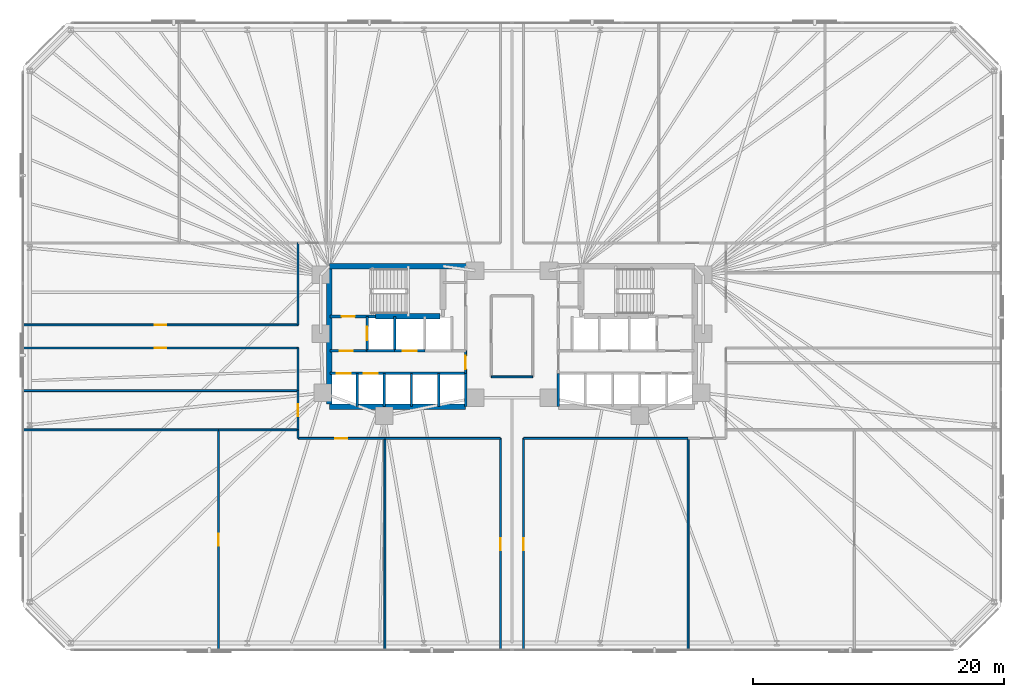
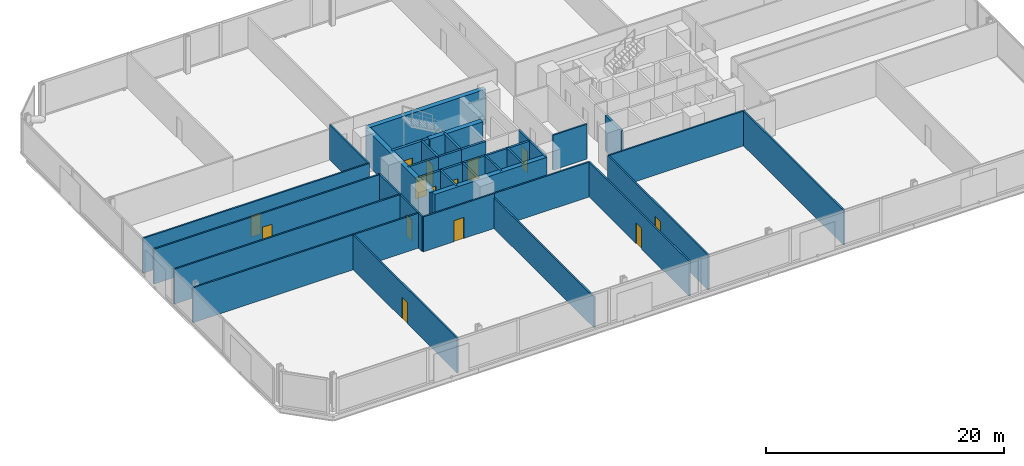
# One storey, part 12 of 17: 36 walls, 14 doors, 14 openings.
"""IFC4 building model written with IfcOpenShell, lengths in metres."""

from ifc_helpers import new_model, si_unit, direction, frame, frame_2d, origin, place, context, subcontext, project, spatial, rectangle, extrude, material, layer, layer_set, type_object, element, fill, save


model = new_model("IFC4")

# Units and contexts
model_context = context("Model", 3, precision=1e-05, world=origin(), true_north=direction((0.0, 1.0)))
body_context = subcontext(model_context, "Body", "Model", "MODEL_VIEW")
ifc_project = project(units=[si_unit("LENGTHUNIT", "METRE"), si_unit("AREAUNIT", "SQUARE_METRE"), si_unit("VOLUMEUNIT", "CUBIC_METRE"), si_unit("PLANEANGLEUNIT", "RADIAN"), si_unit("MASSUNIT", "GRAM", prefix="KILO")], contexts=[model_context])

# Site, building, storey
site_placement = place(None, origin())
site = spatial("IfcSite", under=ifc_project, at=site_placement, CompositionType="ELEMENT")
building_placement = place(site_placement, origin())
building = spatial("IfcBuilding", under=site, at=building_placement, Name="Menara Jurai Vektor", CompositionType="ELEMENT")
storey_placement = place(building_placement, frame((0.0, 0.0, 71.199951171875)))
storey = spatial("IfcBuildingStorey", under=building, at=storey_placement, Name="L17", CompositionType="ELEMENT", Elevation=71.199951171875)

# Wall, opening, door
ifc_material_1 = material(Name="Concrete C40/50", Category="concrete")
ifc_layer_1 = layer(ifc_material_1, 0.25)
ifc_layer_set_1 = layer_set([ifc_layer_1], Name="Concrete C40/50")
wall_type_1 = type_object("IfcWallType", Name="INT-WALL-CORE-250", PredefinedType="STANDARD", material=ifc_layer_set_1)
wall_1_placement = place(storey_placement, frame((-14.5, 1.60009765625, 0.0), z_axis=(0.0, 0.0, 1.0), x_axis=(1.0, 0.0, 0.0)))
wall_1 = element("IfcWall", 1, at=wall_1_placement, inside=storey, type_object=wall_type_1, Name="Interior Wall IW-250 L17", PredefinedType="STANDARD", context=body_context, shape_type="SweptSolid", body=[
    extrude(rectangle(XDim=3.60009765625, YDim=0.25, at=frame_2d((1.800048828125, 0.0))), origin(), (0.0, 0.0, 1.0), 3.574951171875),
])
opening_1_placement = place(wall_1_placement, frame((0.919921875, 0.0, 0.0)))
opening_1 = element("IfcOpeningElement", 2, at=opening_1_placement, cuts=wall_1, Name="Opening D-L17-ST1", PredefinedType="OPENING", context=body_context, shape_type="SweptSolid", body=[
    extrude(rectangle(XDim=1.050048828125, YDim=2.14990234375, at=frame_2d((0.52490234375, 1.074951171875))), frame((0.0, 0.135009765625, 0.0), z_axis=(0.0, -1.0, 0.0), x_axis=(1.0, 0.0, 0.0)), (0.0, 0.0, 1.0), 0.27001953125),
])
ifc_material_2 = material(Name="Fire-Rated Steel Door", Category="steel")
door_type_1 = type_object("IfcDoorType", Name="DR-STAIR-1050", OperationType="NOTDEFINED", PredefinedType="DOOR", material=ifc_material_2)
door_1_placement = place(opening_1_placement, origin())
door_1 = element("IfcDoor", 3, at=door_1_placement, inside=storey, type_object=door_type_1, Name="Exit Stair ST1 Door L17", OperationType="SINGLE_SWING_RIGHT", OverallHeight=2.14990234375, OverallWidth=1.050048828125, PredefinedType="DOOR", context=body_context, shape_type="SweptSolid", body=[
    extrude(rectangle(XDim=1.050048828125, YDim=2.14990234375, at=frame_2d((0.52490234375, 1.074951171875))), frame((0.0, 0.02490234375, 0.0), z_axis=(0.0, -1.0, 0.0), x_axis=(1.0, 0.0, 0.0)), (0.0, 0.0, 1.0), 0.050048828125),
])
fill(opening_1, door_1)

wall_2_placement = place(storey_placement, frame((-11.550048828125, -1.14990234375, 0.0), z_axis=(0.0, 0.0, 1.0), x_axis=(0.0, 1.0, 0.0)))
wall_2 = element("IfcWall", 4, at=wall_2_placement, inside=storey, type_object=wall_type_1, Name="Interior Wall IW-250 L17", PredefinedType="STANDARD", context=body_context, shape_type="SweptSolid", body=[
    extrude(rectangle(XDim=2.75, YDim=0.199951171875, at=frame_2d((1.375, 0.0))), origin(), (0.0, 0.0, 1.0), 3.574951171875),
])
opening_2_placement = place(wall_2_placement, frame((0.824951171875, 0.0, 0.0)))
opening_2 = element("IfcOpeningElement", 5, at=opening_2_placement, cuts=wall_2, Name="Opening LD-L17-FL1", PredefinedType="OPENING", context=body_context, shape_type="SweptSolid", body=[
    extrude(rectangle(XDim=1.10009765625, YDim=2.14990234375, at=frame_2d((0.550048828125, 1.074951171875))), frame((0.0, 0.10986328125, 0.0), z_axis=(0.0, -1.0, 0.0), x_axis=(1.0, 0.0, 0.0)), (0.0, 0.0, 1.0), 0.219970703125),
])
ifc_material_3 = material(Name="Stainless Steel Sliding Lift Landing Door", Category="steel")
door_type_2 = type_object("IfcDoorType", Name="DR-LIFT-FIRE-1100", OperationType="NOTDEFINED", PredefinedType="DOOR", material=ifc_material_3)
door_2_placement = place(opening_2_placement, origin())
door_2 = element("IfcDoor", 6, at=door_2_placement, inside=storey, type_object=door_type_2, Name="Lift Landing Door FL1 L17", OperationType="SLIDING_TO_RIGHT", OverallHeight=2.14990234375, OverallWidth=1.10009765625, PredefinedType="DOOR", context=body_context, shape_type="SweptSolid", body=[
    extrude(rectangle(XDim=1.10009765625, YDim=2.14990234375, at=frame_2d((0.550048828125, 1.074951171875))), frame((0.0, 0.02490234375, 0.0), z_axis=(0.0, -1.0, 0.0), x_axis=(1.0, 0.0, 0.0)), (0.0, 0.0, 1.0), 0.050048828125),
])
fill(opening_2, door_2)

# Wall
wall_3_placement = place(storey_placement, frame((-9.35009765625, -1.14990234375, 0.0), z_axis=(0.0, 0.0, 1.0), x_axis=(0.0, 1.0, 0.0)))
element("IfcWall", 7, at=wall_3_placement, inside=storey, type_object=wall_type_1, Name="Interior Wall IW-250 L17", PredefinedType="STANDARD", context=body_context, shape_type="SweptSolid", body=[
    extrude(rectangle(XDim=2.75, YDim=0.199951171875, at=frame_2d((1.375, 0.0))), origin(), (0.0, 0.0, 1.0), 3.574951171875),
])

# Wall, opening, door
wall_4_placement = place(storey_placement, frame((-14.5, -1.14990234375, 0.0), z_axis=(0.0, 0.0, 1.0), x_axis=(1.0, 0.0, 0.0)))
wall_4 = element("IfcWall", 8, at=wall_4_placement, inside=storey, type_object=wall_type_1, Name="Interior Wall IW-250 L17", PredefinedType="STANDARD", context=body_context, shape_type="SweptSolid", body=[
    extrude(rectangle(XDim=2.949951171875, YDim=0.199951171875, at=frame_2d((1.47509765625, 0.0))), origin(), (0.0, 0.0, 1.0), 3.574951171875),
])
opening_3_placement = place(wall_4_placement, frame((0.75, 0.0, 0.0)))
opening_3 = element("IfcOpeningElement", 9, at=opening_3_placement, cuts=wall_4, Name="Opening D-L17-FFW", PredefinedType="OPENING", context=body_context, shape_type="SweptSolid", body=[
    extrude(rectangle(XDim=1.050048828125, YDim=2.179931640625, at=frame_2d((0.52490234375, 1.08984375))), frame((0.0, 0.10986328125, 0.0), z_axis=(0.0, -1.0, 0.0), x_axis=(1.0, 0.0, 0.0)), (0.0, 0.0, 1.0), 0.219970703125),
])
ifc_material_4 = material(Name="Fire-Rated Timber Door", Category="wood")
door_type_3 = type_object("IfcDoorType", Name="DR-LOBBY-1050", OperationType="NOTDEFINED", PredefinedType="DOOR", material=ifc_material_4)
door_3_placement = place(opening_3_placement, origin())
door_3 = element("IfcDoor", 10, at=door_3_placement, inside=storey, type_object=door_type_3, Name="Fire Lift Lobby Door W L17", OperationType="SINGLE_SWING_RIGHT", OverallHeight=2.179931640625, OverallWidth=1.050048828125, PredefinedType="DOOR", context=body_context, shape_type="SweptSolid", body=[
    extrude(rectangle(XDim=1.050048828125, YDim=2.179931640625, at=frame_2d((0.52490234375, 1.08984375))), frame((0.0, 0.02490234375, 0.0), z_axis=(0.0, -1.0, 0.0), x_axis=(1.0, 0.0, 0.0)), (0.0, 0.0, 1.0), 0.050048828125),
])
fill(opening_3, door_3)

# Wall
wall_5_placement = place(storey_placement, frame((-11.550048828125, -1.14990234375, 0.0), z_axis=(0.0, 0.0, 1.0), x_axis=(1.0, 0.0, 0.0)))
element("IfcWall", 11, at=wall_5_placement, inside=storey, type_object=wall_type_1, Name="Interior Wall IW-250 L17", PredefinedType="STANDARD", context=body_context, shape_type="SweptSolid", body=[
    extrude(rectangle(XDim=2.199951171875, YDim=0.199951171875, at=frame_2d((1.10009765625, 0.0))), origin(), (0.0, 0.0, 1.0), 3.574951171875),
])

# Wall, opening, door
ifc_material_5 = material(Name="Gypsum Fireboard Partition", Category="gypsum")
ifc_layer_2 = layer(ifc_material_5, 0.14990234375)
ifc_layer_set_2 = layer_set([ifc_layer_2], Name="Gypsum Fireboard Partition")
wall_type_2 = type_object("IfcWallType", Name="INT-WALL-CORR-150", PredefinedType="PARTITIONING", material=ifc_layer_set_2)
wall_6_placement = place(storey_placement, frame((-3.699951171875, -2.949951171875, 0.0), z_axis=(0.0, 0.0, 1.0), x_axis=(0.0, 1.0, 0.0)))
wall_6 = element("IfcWall", 12, at=wall_6_placement, inside=storey, type_object=wall_type_2, Name="Interior Wall IW-150 L17", PredefinedType="PARTITIONING", context=body_context, shape_type="SweptSolid", body=[
    extrude(rectangle(XDim=1.800048828125, YDim=0.14990234375, at=frame_2d((0.89990234375, 0.0))), origin(), (0.0, 0.0, 1.0), 3.574951171875),
])
opening_4_placement = place(wall_6_placement, frame((0.35009765625, 0.0, 0.0)))
opening_4 = element("IfcOpeningElement", 13, at=opening_4_placement, cuts=wall_6, Name="Opening D-L17-LLW", PredefinedType="OPENING", context=body_context, shape_type="SweptSolid", body=[
    extrude(rectangle(XDim=1.050048828125, YDim=2.179931640625, at=frame_2d((0.52490234375, 1.08984375))), frame((0.0, 0.0849609375, 0.0), z_axis=(0.0, -1.0, 0.0), x_axis=(1.0, 0.0, 0.0)), (0.0, 0.0, 1.0), 0.169921875),
])
door_4_placement = place(opening_4_placement, origin())
door_4 = element("IfcDoor", 14, at=door_4_placement, inside=storey, type_object=door_type_3, Name="Lift Lobby Corridor Door W L17", OperationType="SINGLE_SWING_LEFT", OverallHeight=2.179931640625, OverallWidth=1.050048828125, PredefinedType="DOOR", context=body_context, shape_type="SweptSolid", body=[
    extrude(rectangle(XDim=1.050048828125, YDim=2.179931640625, at=frame_2d((0.52490234375, 1.08984375))), frame((0.0, 0.02490234375, 0.0), z_axis=(0.0, -1.0, 0.0), x_axis=(1.0, 0.0, 0.0)), (0.0, 0.0, 1.0), 0.050048828125),
])
fill(opening_4, door_4)

# Walls
wall_7_placement = place(storey_placement, frame((-1.64990234375, -3.22998046875, 0.0), z_axis=(0.0, 0.0, 1.0), x_axis=(1.0, 0.0, 0.0)))
element("IfcWall", 15, at=wall_7_placement, inside=storey, type_object=wall_type_2, Name="Interior Wall IW-150 L17", PredefinedType="PARTITIONING", context=body_context, shape_type="SweptSolid", body=[
    extrude(rectangle(XDim=3.2998046875, YDim=0.14990234375, at=frame_2d((1.64990234375, 0.0))), origin(), (0.0, 0.0, 1.0), 3.574951171875),
])
wall_8_placement = place(storey_placement, frame((-17.05908203125, -8.1298828125, 0.0), z_axis=(0.0, 0.0, 1.0), x_axis=(0.0, 1.0, 0.0)))
element("IfcWall", 16, at=wall_8_placement, inside=storey, type_object=wall_type_2, Name="Interior Wall IW-150 L17", PredefinedType="PARTITIONING", context=body_context, shape_type="SweptSolid", body=[
    extrude(rectangle(XDim=0.679931640625, YDim=0.14990234375, at=frame_2d((0.33984375, 0.0))), origin(), (0.0, 0.0, 1.0), 3.574951171875),
])

# Wall, opening, door
wall_9_placement = place(storey_placement, frame((-17.05908203125, -8.1298828125, 0.0), z_axis=(0.0, 0.0, 1.0), x_axis=(1.0, 0.0, 0.0)))
wall_9 = element("IfcWall", 17, at=wall_9_placement, inside=storey, type_object=wall_type_2, Name="Interior Wall IW-150 L17", PredefinedType="PARTITIONING", context=body_context, shape_type="SweptSolid", body=[
    extrude(rectangle(XDim=6.919189453125, YDim=0.14990234375, at=frame_2d((3.45947265625, 0.0))), origin(), (0.0, 0.0, 1.0), 3.574951171875),
])
opening_5_placement = place(wall_9_placement, frame((2.984619140625, 0.0, 0.0)))
opening_5 = element("IfcOpeningElement", 18, at=opening_5_placement, cuts=wall_9, Name="Opening D17-09", PredefinedType="OPENING", context=body_context, shape_type="SweptSolid", body=[
    extrude(rectangle(XDim=0.949951171875, YDim=2.14990234375, at=frame_2d((0.47509765625, 1.074951171875))), frame((0.0, 0.0849609375, 0.0), z_axis=(0.0, -1.0, 0.0), x_axis=(1.0, 0.0, 0.0)), (0.0, 0.0, 1.0), 0.169921875),
])
ifc_material_6 = material(Name="Solid Core Timber Fire Door", Category="wood")
door_type_4 = type_object("IfcDoorType", Name="DR-ENTRY-950", OperationType="NOTDEFINED", PredefinedType="DOOR", material=ifc_material_6)
door_5_placement = place(opening_5_placement, origin())
door_5 = element("IfcDoor", 19, at=door_5_placement, inside=storey, type_object=door_type_4, Name="Interior Door D17-09", OperationType="SINGLE_SWING_RIGHT", OverallHeight=2.14990234375, OverallWidth=0.949951171875, PredefinedType="DOOR", context=body_context, shape_type="SweptSolid", body=[
    extrude(rectangle(XDim=0.949951171875, YDim=2.14990234375, at=frame_2d((0.47509765625, 1.074951171875))), frame((0.0, 0.02490234375, 0.0), z_axis=(0.0, -1.0, 0.0), x_axis=(1.0, 0.0, 0.0)), (0.0, 0.0, 1.0), 0.050048828125),
])
fill(opening_5, door_5)

# Wall
wall_10_placement = place(storey_placement, frame((-10.139892578125, -8.1298828125, 0.0), z_axis=(0.0, 0.0, 1.0), x_axis=(1.0, 0.0, 0.0)))
element("IfcWall", 20, at=wall_10_placement, inside=storey, type_object=wall_type_2, Name="Interior Wall IW-150 L17", PredefinedType="PARTITIONING", context=body_context, shape_type="SweptSolid", body=[
    extrude(rectangle(XDim=9.219970703125, YDim=0.14990234375, at=frame_2d((4.60986328125, 0.0))), origin(), (0.0, 0.0, 1.0), 3.574951171875),
])

# Wall, opening, door
wall_11_placement = place(storey_placement, frame((-0.919921875, -25.0, 0.0), z_axis=(0.0, 0.0, 1.0), x_axis=(0.0, 1.0, 0.0)))
wall_11 = element("IfcWall", 21, at=wall_11_placement, inside=storey, type_object=wall_type_2, Name="Interior Wall IW-150 L17", PredefinedType="PARTITIONING", context=body_context, shape_type="SweptSolid", body=[
    extrude(rectangle(XDim=16.8701171875, YDim=0.14990234375, at=frame_2d((8.43505859375, 0.0))), origin(), (0.0, 0.0, 1.0), 3.574951171875),
])
opening_6_placement = place(wall_11_placement, frame((7.9599609375, 0.0, 0.0)))
opening_6 = element("IfcOpeningElement", 22, at=opening_6_placement, cuts=wall_11, Name="Opening D17-10", PredefinedType="OPENING", context=body_context, shape_type="SweptSolid", body=[
    extrude(rectangle(XDim=0.949951171875, YDim=2.14990234375, at=frame_2d((0.47509765625, 1.074951171875))), frame((0.0, 0.0849609375, 0.0), z_axis=(0.0, -1.0, 0.0), x_axis=(1.0, 0.0, 0.0)), (0.0, 0.0, 1.0), 0.169921875),
])
door_6_placement = place(opening_6_placement, origin())
door_6 = element("IfcDoor", 23, at=door_6_placement, inside=storey, type_object=door_type_4, Name="Interior Door D17-10", OperationType="SINGLE_SWING_LEFT", OverallHeight=2.14990234375, OverallWidth=0.949951171875, PredefinedType="DOOR", context=body_context, shape_type="SweptSolid", body=[
    extrude(rectangle(XDim=0.949951171875, YDim=2.14990234375, at=frame_2d((0.47509765625, 1.074951171875))), frame((0.0, 0.02490234375, 0.0), z_axis=(0.0, -1.0, 0.0), x_axis=(1.0, 0.0, 0.0)), (0.0, 0.0, 1.0), 0.050048828125),
])
fill(opening_6, door_6)

wall_12_placement = place(storey_placement, frame((0.919921875, -25.0, 0.0), z_axis=(0.0, 0.0, 1.0), x_axis=(0.0, 1.0, 0.0)))
wall_12 = element("IfcWall", 24, at=wall_12_placement, inside=storey, type_object=wall_type_2, Name="Interior Wall IW-150 L17", PredefinedType="PARTITIONING", context=body_context, shape_type="SweptSolid", body=[
    extrude(rectangle(XDim=16.8701171875, YDim=0.14990234375, at=frame_2d((8.43505859375, 0.0))), origin(), (0.0, 0.0, 1.0), 3.574951171875),
])
opening_7_placement = place(wall_12_placement, frame((7.9599609375, 0.0, 0.0)))
opening_7 = element("IfcOpeningElement", 25, at=opening_7_placement, cuts=wall_12, Name="Opening D17-11", PredefinedType="OPENING", context=body_context, shape_type="SweptSolid", body=[
    extrude(rectangle(XDim=0.949951171875, YDim=2.14990234375, at=frame_2d((0.47509765625, 1.074951171875))), frame((0.0, 0.0849609375, 0.0), z_axis=(0.0, -1.0, 0.0), x_axis=(1.0, 0.0, 0.0)), (0.0, 0.0, 1.0), 0.169921875),
])
door_7_placement = place(opening_7_placement, origin())
door_7 = element("IfcDoor", 26, at=door_7_placement, inside=storey, type_object=door_type_4, Name="Interior Door D17-11", OperationType="SINGLE_SWING_RIGHT", OverallHeight=2.14990234375, OverallWidth=0.949951171875, PredefinedType="DOOR", context=body_context, shape_type="SweptSolid", body=[
    extrude(rectangle(XDim=0.949951171875, YDim=2.14990234375, at=frame_2d((0.47509765625, 1.074951171875))), frame((0.0, 0.02490234375, 0.0), z_axis=(0.0, -1.0, 0.0), x_axis=(1.0, 0.0, 0.0)), (0.0, 0.0, 1.0), 0.050048828125),
])
fill(opening_7, door_7)

# Wall
wall_13_placement = place(storey_placement, frame((0.919921875, -8.1298828125, 0.0), z_axis=(0.0, 0.0, 1.0), x_axis=(1.0, 0.0, 0.0)))
element("IfcWall", 27, at=wall_13_placement, inside=storey, type_object=wall_type_2, Name="Interior Wall IW-150 L17", PredefinedType="PARTITIONING", context=body_context, shape_type="SweptSolid", body=[
    extrude(rectangle(XDim=13.1201171875, YDim=0.14990234375, at=frame_2d((6.56005859375, 0.0))), origin(), (0.0, 0.0, 1.0), 3.574951171875),
])

# Wall, opening, door
wall_14_placement = place(storey_placement, frame((-17.05908203125, -7.449951171875, 0.0), z_axis=(0.0, 0.0, 1.0), x_axis=(0.0, 1.0, 0.0)))
wall_14 = element("IfcWall", 28, at=wall_14_placement, inside=storey, type_object=wall_type_2, Name="Interior Wall IW-150 L17", PredefinedType="PARTITIONING", context=body_context, shape_type="SweptSolid", body=[
    extrude(rectangle(XDim=3.12890625, YDim=0.14990234375, at=frame_2d((1.564453125, 0.0))), origin(), (0.0, 0.0, 1.0), 3.574951171875),
])
opening_8_placement = place(wall_14_placement, frame((1.089599609375, 0.0, 0.0)))
opening_8 = element("IfcOpeningElement", 29, at=opening_8_placement, cuts=wall_14, Name="Opening D17-13", PredefinedType="OPENING", context=body_context, shape_type="SweptSolid", body=[
    extrude(rectangle(XDim=0.949951171875, YDim=2.14990234375, at=frame_2d((0.47509765625, 1.074951171875))), frame((0.0, 0.0849609375, 0.0), z_axis=(0.0, -1.0, 0.0), x_axis=(1.0, 0.0, 0.0)), (0.0, 0.0, 1.0), 0.169921875),
])
door_8_placement = place(opening_8_placement, origin())
door_8 = element("IfcDoor", 30, at=door_8_placement, inside=storey, type_object=door_type_4, Name="Interior Door D17-13", OperationType="SINGLE_SWING_RIGHT", OverallHeight=2.14990234375, OverallWidth=0.949951171875, PredefinedType="DOOR", context=body_context, shape_type="SweptSolid", body=[
    extrude(rectangle(XDim=0.949951171875, YDim=2.14990234375, at=frame_2d((0.47509765625, 1.074951171875))), frame((0.0, 0.02490234375, 0.0), z_axis=(0.0, -1.0, 0.0), x_axis=(1.0, 0.0, 0.0)), (0.0, 0.0, 1.0), 0.050048828125),
])
fill(opening_8, door_8)

wall_15_placement = place(storey_placement, frame((-39.0, -0.919921875, 0.0), z_axis=(0.0, 0.0, 1.0), x_axis=(1.0, 0.0, 0.0)))
wall_15 = element("IfcWall", 31, at=wall_15_placement, inside=storey, type_object=wall_type_2, Name="Interior Wall IW-150 L17", PredefinedType="PARTITIONING", context=body_context, shape_type="SweptSolid", body=[
    extrude(rectangle(XDim=21.94091796875, YDim=0.14990234375, at=frame_2d((10.970458984375, 0.0))), origin(), (0.0, 0.0, 1.0), 3.574951171875),
])
opening_9_placement = place(wall_15_placement, frame((10.49560546875, 0.0, 0.0)))
opening_9 = element("IfcOpeningElement", 32, at=opening_9_placement, cuts=wall_15, Name="Opening D17-14", PredefinedType="OPENING", context=body_context, shape_type="SweptSolid", body=[
    extrude(rectangle(XDim=0.949951171875, YDim=2.14990234375, at=frame_2d((0.47509765625, 1.074951171875))), frame((0.0, 0.0849609375, 0.0), z_axis=(0.0, -1.0, 0.0), x_axis=(1.0, 0.0, 0.0)), (0.0, 0.0, 1.0), 0.169921875),
])
door_9_placement = place(opening_9_placement, origin())
door_9 = element("IfcDoor", 33, at=door_9_placement, inside=storey, type_object=door_type_4, Name="Interior Door D17-14", OperationType="SINGLE_SWING_LEFT", OverallHeight=2.14990234375, OverallWidth=0.949951171875, PredefinedType="DOOR", context=body_context, shape_type="SweptSolid", body=[
    extrude(rectangle(XDim=0.949951171875, YDim=2.14990234375, at=frame_2d((0.47509765625, 1.074951171875))), frame((0.0, 0.02490234375, 0.0), z_axis=(0.0, -1.0, 0.0), x_axis=(1.0, 0.0, 0.0)), (0.0, 0.0, 1.0), 0.050048828125),
])
fill(opening_9, door_9)

# Wall
wall_16_placement = place(storey_placement, frame((-17.05908203125, -4.321044921875, 0.0), z_axis=(0.0, 0.0, 1.0), x_axis=(0.0, 1.0, 0.0)))
element("IfcWall", 34, at=wall_16_placement, inside=storey, type_object=wall_type_2, Name="Interior Wall IW-150 L17", PredefinedType="PARTITIONING", context=body_context, shape_type="SweptSolid", body=[
    extrude(rectangle(XDim=3.401123046875, YDim=0.14990234375, at=frame_2d((1.70068359375, 0.0))), origin(), (0.0, 0.0, 1.0), 3.574951171875),
])

# Wall, opening, door
wall_17_placement = place(storey_placement, frame((-39.0, 0.919921875, 0.0), z_axis=(0.0, 0.0, 1.0), x_axis=(1.0, 0.0, 0.0)))
wall_17 = element("IfcWall", 35, at=wall_17_placement, inside=storey, type_object=wall_type_2, Name="Interior Wall IW-150 L17", PredefinedType="PARTITIONING", context=body_context, shape_type="SweptSolid", body=[
    extrude(rectangle(XDim=21.94091796875, YDim=0.14990234375, at=frame_2d((10.970458984375, 0.0))), origin(), (0.0, 0.0, 1.0), 3.574951171875),
])
opening_10_placement = place(wall_17_placement, frame((10.49560546875, 0.0, 0.0)))
opening_10 = element("IfcOpeningElement", 36, at=opening_10_placement, cuts=wall_17, Name="Opening D17-15", PredefinedType="OPENING", context=body_context, shape_type="SweptSolid", body=[
    extrude(rectangle(XDim=0.949951171875, YDim=2.14990234375, at=frame_2d((0.47509765625, 1.074951171875))), frame((0.0, 0.0849609375, 0.0), z_axis=(0.0, -1.0, 0.0), x_axis=(1.0, 0.0, 0.0)), (0.0, 0.0, 1.0), 0.169921875),
])
door_10_placement = place(opening_10_placement, origin())
door_10 = element("IfcDoor", 37, at=door_10_placement, inside=storey, type_object=door_type_4, Name="Interior Door D17-15", OperationType="SINGLE_SWING_RIGHT", OverallHeight=2.14990234375, OverallWidth=0.949951171875, PredefinedType="DOOR", context=body_context, shape_type="SweptSolid", body=[
    extrude(rectangle(XDim=0.949951171875, YDim=2.14990234375, at=frame_2d((0.47509765625, 1.074951171875))), frame((0.0, 0.02490234375, 0.0), z_axis=(0.0, -1.0, 0.0), x_axis=(1.0, 0.0, 0.0)), (0.0, 0.0, 1.0), 0.050048828125),
])
fill(opening_10, door_10)

# Wall
wall_18_placement = place(storey_placement, frame((-17.05908203125, 0.919921875, 0.0), z_axis=(0.0, 0.0, 1.0), x_axis=(0.0, 1.0, 0.0)))
element("IfcWall", 38, at=wall_18_placement, inside=storey, type_object=wall_type_2, Name="Interior Wall IW-150 L17", PredefinedType="PARTITIONING", context=body_context, shape_type="SweptSolid", body=[
    extrude(rectangle(XDim=6.530029296875, YDim=0.14990234375, at=frame_2d((3.26513671875, 0.0))), origin(), (0.0, 0.0, 1.0), 3.574951171875),
])

# Wall, opening, door
wall_19_placement = place(storey_placement, frame((-23.39990234375, -25.0, 0.0), z_axis=(0.0, 0.0, 1.0), x_axis=(0.0, 1.0, 0.0)))
wall_19 = element("IfcWall", 39, at=wall_19_placement, inside=storey, type_object=wall_type_2, Name="Interior Wall IW-150 L17", PredefinedType="PARTITIONING", context=body_context, shape_type="SweptSolid", body=[
    extrude(rectangle(XDim=17.550048828125, YDim=0.14990234375, at=frame_2d((8.77490234375, 0.0))), origin(), (0.0, 0.0, 1.0), 3.574951171875),
])
opening_11_placement = place(wall_19_placement, frame((8.300048828125, 0.0, 0.0)))
opening_11 = element("IfcOpeningElement", 40, at=opening_11_placement, cuts=wall_19, Name="Opening D17-22", PredefinedType="OPENING", context=body_context, shape_type="SweptSolid", body=[
    extrude(rectangle(XDim=0.949951171875, YDim=2.14990234375, at=frame_2d((0.47509765625, 1.074951171875))), frame((0.0, 0.0849609375, 0.0), z_axis=(0.0, -1.0, 0.0), x_axis=(1.0, 0.0, 0.0)), (0.0, 0.0, 1.0), 0.169921875),
])
door_11_placement = place(opening_11_placement, origin())
door_11 = element("IfcDoor", 41, at=door_11_placement, inside=storey, type_object=door_type_4, Name="Interior Door D17-22", OperationType="SINGLE_SWING_LEFT", OverallHeight=2.14990234375, OverallWidth=0.949951171875, PredefinedType="DOOR", context=body_context, shape_type="SweptSolid", body=[
    extrude(rectangle(XDim=0.949951171875, YDim=2.14990234375, at=frame_2d((0.47509765625, 1.074951171875))), frame((0.0, 0.02490234375, 0.0), z_axis=(0.0, -1.0, 0.0), x_axis=(1.0, 0.0, 0.0)), (0.0, 0.0, 1.0), 0.050048828125),
])
fill(opening_11, door_11)

# Walls
wall_20_placement = place(storey_placement, frame((-39.0, -7.449951171875, 0.0), z_axis=(0.0, 0.0, 1.0), x_axis=(1.0, 0.0, 0.0)))
element("IfcWall", 42, at=wall_20_placement, inside=storey, type_object=wall_type_2, Name="Interior Wall IW-150 L17", PredefinedType="PARTITIONING", context=body_context, shape_type="SweptSolid", body=[
    extrude(rectangle(XDim=15.60009765625, YDim=0.14990234375, at=frame_2d((7.800048828125, 0.0))), origin(), (0.0, 0.0, 1.0), 3.574951171875),
])
wall_21_placement = place(storey_placement, frame((-23.39990234375, -7.449951171875, 0.0), z_axis=(0.0, 0.0, 1.0), x_axis=(1.0, 0.0, 0.0)))
element("IfcWall", 43, at=wall_21_placement, inside=storey, type_object=wall_type_2, Name="Interior Wall IW-150 L17", PredefinedType="PARTITIONING", context=body_context, shape_type="SweptSolid", body=[
    extrude(rectangle(XDim=6.3408203125, YDim=0.14990234375, at=frame_2d((3.17041015625, 0.0))), origin(), (0.0, 0.0, 1.0), 3.574951171875),
])
wall_22_placement = place(storey_placement, frame((14.0400390625, -25.0, 0.0), z_axis=(0.0, 0.0, 1.0), x_axis=(0.0, 1.0, 0.0)))
element("IfcWall", 44, at=wall_22_placement, inside=storey, type_object=wall_type_2, Name="Interior Wall IW-150 L17", PredefinedType="PARTITIONING", context=body_context, shape_type="SweptSolid", body=[
    extrude(rectangle(XDim=16.8701171875, YDim=0.14990234375, at=frame_2d((8.43505859375, 0.0))), origin(), (0.0, 0.0, 1.0), 3.574951171875),
])
wall_23_placement = place(storey_placement, frame((-39.0, -4.321044921875, 0.0), z_axis=(0.0, 0.0, 1.0), x_axis=(1.0, 0.0, 0.0)))
element("IfcWall", 45, at=wall_23_placement, inside=storey, type_object=wall_type_2, Name="Interior Wall IW-150 L17", PredefinedType="PARTITIONING", context=body_context, shape_type="SweptSolid", body=[
    extrude(rectangle(XDim=21.94091796875, YDim=0.14990234375, at=frame_2d((10.970458984375, 0.0))), origin(), (0.0, 0.0, 1.0), 3.574951171875),
])
ifc_layer_3 = layer(ifc_material_5, 0.14990234375)
ifc_layer_set_3 = layer_set([ifc_layer_3], Name="Gypsum Fireboard Partition")
wall_type_3 = type_object("IfcWallType", Name="INT-WALL-CORR-150-H1", PredefinedType="PARTITIONING", material=ifc_layer_set_3)
wall_24_placement = place(storey_placement, frame((-10.139892578125, -25.0, 0.0), z_axis=(0.0, 0.0, 1.0), x_axis=(0.0, 1.0, 0.0)))
element("IfcWall", 46, at=wall_24_placement, inside=storey, type_object=wall_type_3, Name="Interior Wall IW-150 L17", PredefinedType="PARTITIONING", context=body_context, shape_type="SweptSolid", body=[
    extrude(rectangle(XDim=16.8701171875, YDim=0.14990234375, at=frame_2d((8.43505859375, 0.0))), origin(), (0.0, 0.0, 1.0), 3.125),
])
ifc_layer_4 = layer(ifc_material_1, 0.199951171875)
ifc_layer_set_4 = layer_set([ifc_layer_4], Name="Concrete C40/50")
wall_type_4 = type_object("IfcWallType", Name="INT-WALL-SHAFT-200", PredefinedType="STANDARD", material=ifc_layer_set_4)
wall_25_placement = place(storey_placement, frame((-3.699951171875, -5.60009765625, 0.0), z_axis=(0.0, 0.0, 1.0), x_axis=(0.0, 1.0, 0.0)))
element("IfcWall", 47, at=wall_25_placement, inside=storey, type_object=wall_type_4, Name="Interior Wall IW-200 L17", PredefinedType="STANDARD", context=body_context, shape_type="SweptSolid", body=[
    extrude(rectangle(XDim=2.650146484375, YDim=0.199951171875, at=frame_2d((1.3251953125, 0.0))), origin(), (0.0, 0.0, 1.0), 3.574951171875),
])

# Wall, opening, door
wall_26_placement = place(storey_placement, frame((-9.35009765625, -1.14990234375, 0.0), z_axis=(0.0, 0.0, 1.0), x_axis=(1.0, 0.0, 0.0)))
wall_26 = element("IfcWall", 48, at=wall_26_placement, inside=storey, type_object=wall_type_4, Name="Interior Wall IW-200 L17", PredefinedType="STANDARD", context=body_context, shape_type="SweptSolid", body=[
    extrude(rectangle(XDim=2.400146484375, YDim=0.199951171875, at=frame_2d((1.2001953125, 0.0))), origin(), (0.0, 0.0, 1.0), 3.574951171875),
])
opening_12_placement = place(wall_26_placement, frame((0.64990234375, 0.0, 0.0)))
opening_12 = element("IfcOpeningElement", 49, at=opening_12_placement, cuts=wall_26, Name="Opening LD-L17-SVL1", PredefinedType="OPENING", context=body_context, shape_type="SweptSolid", body=[
    extrude(rectangle(XDim=1.10009765625, YDim=2.14990234375, at=frame_2d((0.550048828125, 1.074951171875))), frame((0.0, 0.10986328125, 0.0), z_axis=(0.0, -1.0, 0.0), x_axis=(1.0, 0.0, 0.0)), (0.0, 0.0, 1.0), 0.219970703125),
])
ifc_material_7 = material(Name="Anodised Stainless Sliding Lift Landing Door", Category="steel")
door_type_5 = type_object("IfcDoorType", Name="DR-LIFT-PASS-1100", OperationType="NOTDEFINED", PredefinedType="DOOR", material=ifc_material_7)
door_12_placement = place(opening_12_placement, origin())
door_12 = element("IfcDoor", 50, at=door_12_placement, inside=storey, type_object=door_type_5, Name="Lift Landing Door SVL1 L17", OperationType="SLIDING_TO_RIGHT", OverallHeight=2.14990234375, OverallWidth=1.10009765625, PredefinedType="DOOR", context=body_context, shape_type="SweptSolid", body=[
    extrude(rectangle(XDim=1.10009765625, YDim=2.14990234375, at=frame_2d((0.550048828125, 1.074951171875))), frame((0.0, 0.02490234375, 0.0), z_axis=(0.0, -1.0, 0.0), x_axis=(1.0, 0.0, 0.0)), (0.0, 0.0, 1.0), 0.050048828125),
])
fill(opening_12, door_12)

# Wall, openings, doors
wall_27_placement = place(storey_placement, frame((-14.5, -2.949951171875, 0.0), z_axis=(0.0, 0.0, 1.0), x_axis=(1.0, 0.0, 0.0)))
wall_27 = element("IfcWall", 51, at=wall_27_placement, inside=storey, type_object=wall_type_4, Name="Interior Wall IW-200 L17", PredefinedType="STANDARD", context=body_context, shape_type="SweptSolid", body=[
    extrude(rectangle(XDim=10.800048828125, YDim=0.199951171875, at=frame_2d((5.39990234375, 0.0))), origin(), (0.0, 0.0, 1.0), 3.574951171875),
])
opening_13_placement = place(wall_27_placement, frame((0.530029296875, 0.0, 0.0)))
opening_13 = element("IfcOpeningElement", 52, at=opening_13_placement, cuts=wall_27, Name="Opening LD-L17-PL1", PredefinedType="OPENING", context=body_context, shape_type="SweptSolid", body=[
    extrude(rectangle(XDim=1.10009765625, YDim=2.14990234375, at=frame_2d((0.550048828125, 1.074951171875))), frame((0.0, 0.10986328125, 0.0), z_axis=(0.0, -1.0, 0.0), x_axis=(1.0, 0.0, 0.0)), (0.0, 0.0, 1.0), 0.219970703125),
])
opening_14_placement = place(wall_27_placement, frame((2.68994140625, 0.0, 0.0)))
opening_14 = element("IfcOpeningElement", 53, at=opening_14_placement, cuts=wall_27, Name="Opening LD-L17-PL2", PredefinedType="OPENING", context=body_context, shape_type="SweptSolid", body=[
    extrude(rectangle(XDim=1.10009765625, YDim=2.14990234375, at=frame_2d((0.550048828125, 1.074951171875))), frame((0.0, 0.10986328125, 0.0), z_axis=(0.0, -1.0, 0.0), x_axis=(1.0, 0.0, 0.0)), (0.0, 0.0, 1.0), 0.219970703125),
])
door_13_placement = place(opening_13_placement, origin())
door_13 = element("IfcDoor", 54, at=door_13_placement, inside=storey, type_object=door_type_5, Name="Lift Landing Door PL1 L17", OperationType="SLIDING_TO_RIGHT", OverallHeight=2.14990234375, OverallWidth=1.10009765625, PredefinedType="DOOR", context=body_context, shape_type="SweptSolid", body=[
    extrude(rectangle(XDim=1.10009765625, YDim=2.14990234375, at=frame_2d((0.550048828125, 1.074951171875))), frame((0.0, 0.02490234375, 0.0), z_axis=(0.0, -1.0, 0.0), x_axis=(1.0, 0.0, 0.0)), (0.0, 0.0, 1.0), 0.050048828125),
])
fill(opening_13, door_13)
door_14_placement = place(opening_14_placement, origin())
door_14 = element("IfcDoor", 55, at=door_14_placement, inside=storey, type_object=door_type_5, Name="Lift Landing Door PL2 L17", OperationType="SLIDING_TO_RIGHT", OverallHeight=2.14990234375, OverallWidth=1.10009765625, PredefinedType="DOOR", context=body_context, shape_type="SweptSolid", body=[
    extrude(rectangle(XDim=1.10009765625, YDim=2.14990234375, at=frame_2d((0.550048828125, 1.074951171875))), frame((0.0, 0.02490234375, 0.0), z_axis=(0.0, -1.0, 0.0), x_axis=(1.0, 0.0, 0.0)), (0.0, 0.0, 1.0), 0.050048828125),
])
fill(opening_14, door_14)

# Walls
wall_28_placement = place(storey_placement, frame((-5.860107421875, -5.60009765625, 0.0), z_axis=(0.0, 0.0, 1.0), x_axis=(0.0, 1.0, 0.0)))
element("IfcWall", 56, at=wall_28_placement, inside=storey, type_object=wall_type_4, Name="Interior Wall IW-200 L17", PredefinedType="STANDARD", context=body_context, shape_type="SweptSolid", body=[
    extrude(rectangle(XDim=2.650146484375, YDim=0.199951171875, at=frame_2d((1.3251953125, 0.0))), origin(), (0.0, 0.0, 1.0), 3.574951171875),
])
for number, where, z_axis, x_axis, name in (
    (57, (-12.340087890625, -5.60009765625, 0.0), (0.0, 0.0, 1.0), (0.0, 1.0, 0.0), "Interior Wall IW-200 L17"),
    (58, (-10.179931640625, -5.60009765625, 0.0), (0.0, 0.0, 1.0), (0.0, 1.0, 0.0), "Interior Wall IW-200 L17"),
    (59, (-8.02001953125, -5.60009765625, 0.0), (0.0, 0.0, 1.0), (0.0, 1.0, 0.0), "Interior Wall IW-200 L17"),
):
    element("IfcWall", number, at=place(storey_placement, frame(where, z_axis=z_axis, x_axis=x_axis)), inside=storey, type_object=wall_type_4, Name=name, PredefinedType="STANDARD", context=body_context, shape_type="SweptSolid", body=[
        extrude(rectangle(XDim=2.650146484375, YDim=0.179931640625, at=frame_2d((1.3251953125, 0.0))), origin(), (0.0, 0.0, 1.0), 3.574951171875),
    ])
wall_29_placement = place(storey_placement, frame((3.699951171875, -5.60009765625, 0.0), z_axis=(0.0, 0.0, 1.0), x_axis=(0.0, 1.0, 0.0)))
element("IfcWall", 60, at=wall_29_placement, inside=storey, type_object=wall_type_4, Name="Interior Wall IW-200 L17", PredefinedType="STANDARD", context=body_context, shape_type="SweptSolid", body=[
    extrude(rectangle(XDim=2.650146484375, YDim=0.199951171875, at=frame_2d((1.3251953125, 0.0))), origin(), (0.0, 0.0, 1.0), 3.574951171875),
])
ifc_material_8 = material(Name="Concrete C60/75", Category="concrete")
ifc_layer_5 = layer(ifc_material_8, 0.449951171875)
ifc_layer_set_5 = layer_set([ifc_layer_5], Name="Concrete C60/75")
wall_type_5 = type_object("IfcWallType", Name="STR-WALL-CORE450", PredefinedType="SHEAR", material=ifc_layer_set_5)
wall_30_placement = place(storey_placement, frame((-14.56005859375, 5.60009765625, 0.0), z_axis=(0.0, 0.0, 1.0), x_axis=(1.0, 0.0, 0.0)))
element("IfcWall", 61, at=wall_30_placement, inside=storey, type_object=wall_type_5, Name="Core Shear Wall CW-W-N L17", PredefinedType="SHEAR", context=body_context, shape_type="SweptSolid", body=[
    extrude(rectangle(XDim=11.41015625, YDim=0.449951171875, at=frame_2d((5.705078125, 0.0))), origin(), (0.0, 0.0, 1.0), 3.574951171875),
])
wall_31_placement = place(storey_placement, frame((-14.56005859375, -5.60009765625, 0.0), z_axis=(0.0, 0.0, 1.0), x_axis=(1.0, 0.0, 0.0)))
element("IfcWall", 62, at=wall_31_placement, inside=storey, type_object=wall_type_5, Name="Core Shear Wall CW-W-S L17", PredefinedType="SHEAR", context=body_context, shape_type="SweptSolid", body=[
    extrude(rectangle(XDim=10.860107421875, YDim=0.449951171875, at=frame_2d((5.43017578125, 0.0))), origin(), (0.0, 0.0, 1.0), 3.574951171875),
])
wall_32_placement = place(storey_placement, frame((-14.56005859375, -5.375, 0.0), z_axis=(0.0, 0.0, 1.0), x_axis=(0.0, 1.0, 0.0)))
element("IfcWall", 63, at=wall_32_placement, inside=storey, type_object=wall_type_5, Name="Core Shear Wall CW-W-W L17", PredefinedType="SHEAR", context=body_context, shape_type="SweptSolid", body=[
    extrude(rectangle(XDim=10.75, YDim=0.449951171875, at=frame_2d((5.375, 0.0))), origin(), (0.0, 0.0, 1.0), 3.574951171875),
])
wall_33_placement = place(storey_placement, frame((-10.89990234375, 1.60009765625, 0.0), z_axis=(0.0, 0.0, 1.0), x_axis=(1.0, 0.0, 0.0)))
element("IfcWall", 64, at=wall_33_placement, inside=storey, type_object=wall_type_5, Name="Core Shear Wall CW-W-STS L17", PredefinedType="SHEAR", context=body_context, shape_type="SweptSolid", body=[
    extrude(rectangle(XDim=5.14990234375, YDim=0.449951171875, at=frame_2d((2.574951171875, 0.0))), origin(), (0.0, 0.0, 1.0), 3.574951171875),
])

save(model, "model.ifc")
